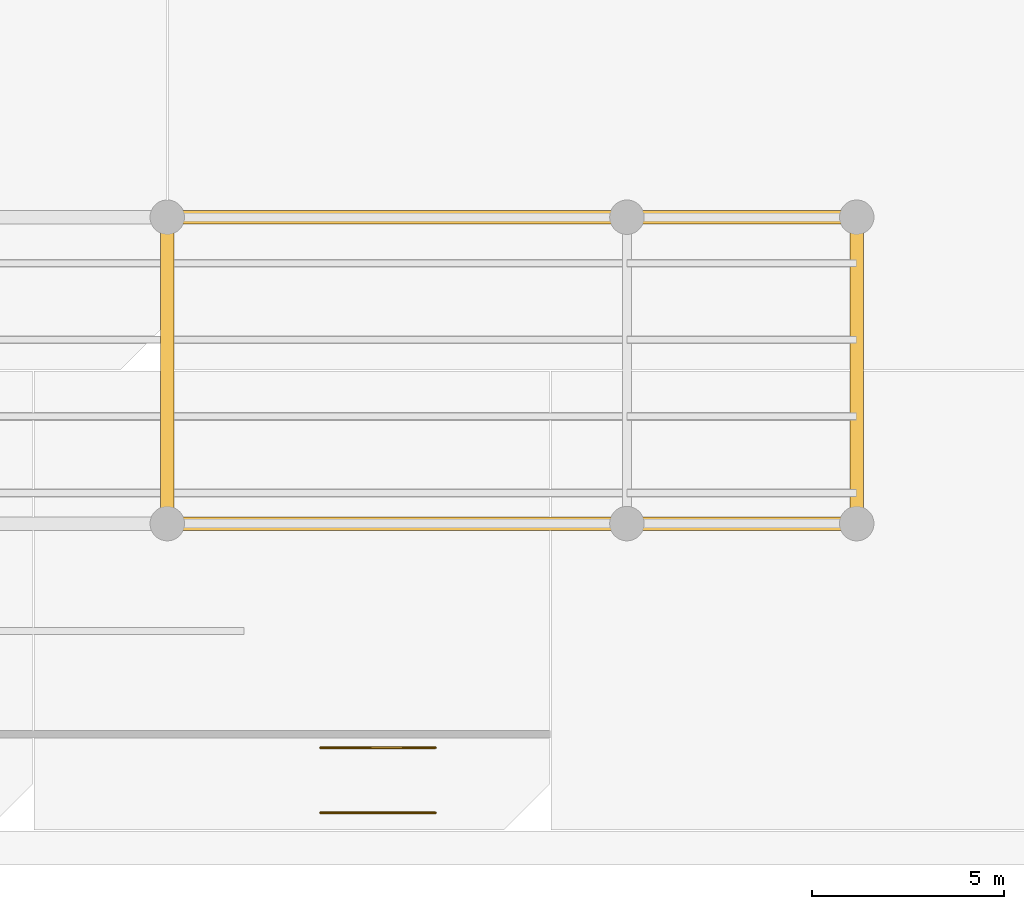
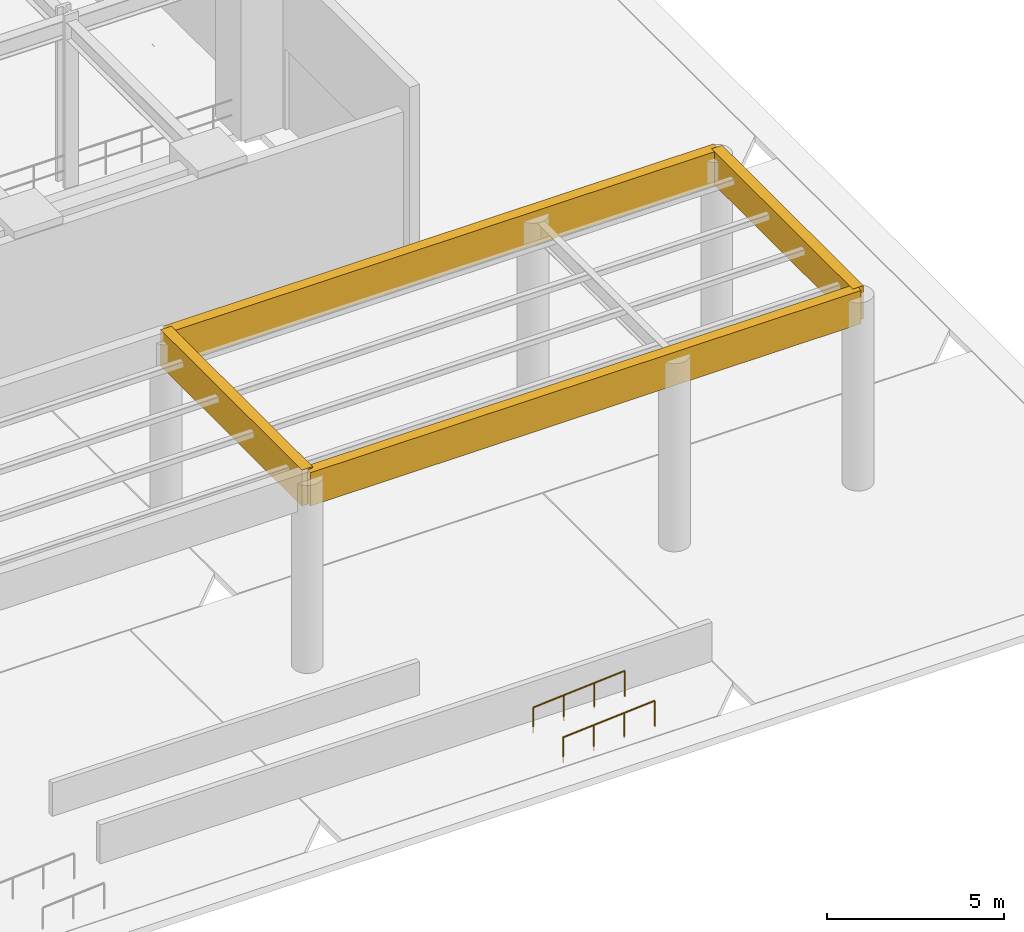
# One storey, part 12 of 13: 4 coverings, 2 railings.
"""IFC4 building model written with IfcOpenShell, lengths in metres."""

from ifc_helpers import new_model, si_unit, direction, frame, origin, origin_2d, place, context, subcontext, project, spatial, rectangle, circle, extrude, source, transform, mapped, material, layer, layer_set, type_object, element, save


model = new_model("IFC4")

# Units and contexts
model_context = context("Model", 3, precision=1e-05, world=origin(), true_north=direction((0.0, 1.0)))
body_context = subcontext(model_context, "Body", "Model", "MODEL_VIEW")
ifc_project = project(units=[si_unit("LENGTHUNIT", "METRE"), si_unit("AREAUNIT", "SQUARE_METRE"), si_unit("VOLUMEUNIT", "CUBIC_METRE"), si_unit("PLANEANGLEUNIT", "RADIAN"), si_unit("MASSUNIT", "GRAM", prefix="KILO")], contexts=[model_context])

# Site, building, storey
site_placement = place(None, origin())
site = spatial("IfcSite", under=ifc_project, at=site_placement, CompositionType="ELEMENT")
building_placement = place(site_placement, origin())
building = spatial("IfcBuilding", under=site, at=building_placement, Name="Torre Montelarca", CompositionType="ELEMENT")
storey_placement = place(building_placement, origin())
storey = spatial("IfcBuildingStorey", under=building, at=storey_placement, Name="L01", CompositionType="ELEMENT", Elevation=0.0)

# Railings
ifc_material_1 = material(Name="Brushed stainless steel AISI 316", Category="steel")
railing_type = type_object("IfcRailingType", Name="RL-EXT-HANDRAIL-900", PredefinedType="HANDRAIL", material=ifc_material_1)
for number, where, name in (
    (1, (70.0, 0.449951171875, -0.219970703125), "Accessible Plaza Ramp Handrail 03"),
    (2, (70.0, 2.14990234375, -0.219970703125), "Accessible Plaza Ramp Handrail 04"),
):
    element("IfcRailing", number, at=place(storey_placement, frame(where)), inside=storey, type_object=railing_type, Name=name, PredefinedType="HANDRAIL", context=body_context, shape_type="SweptSolid", body=[
        extrude(circle(Radius=0.02392578125, at=origin_2d()), frame((0.0, 0.0, 0.8759765625), z_axis=(0.997322618282, 0.0, 0.073127252529), x_axis=(0.0, 1.0, 0.0)), (0.0, 0.0, 1.0), 3.008056640625),
        extrude(circle(Radius=0.02099609375, at=origin_2d()), origin(), (0.0, 0.0, 1.0), 0.851806640625),
        extrude(circle(Radius=0.02099609375, at=origin_2d()), frame((1.0, 0.0, 0.0732421875)), (0.0, 0.0, 1.0), 0.851806640625),
        extrude(circle(Radius=0.02099609375, at=origin_2d()), frame((2.0, 0.0, 0.146728515625)), (0.0, 0.0, 1.0), 0.851806640625),
        extrude(circle(Radius=0.02099609375, at=origin_2d()), frame((3.0, 0.0, 0.219970703125)), (0.0, 0.0, 1.0), 0.851806640625),
    ])

# Coverings
ifc_material_2 = material(Name="Bush-hammered warm white precast concrete C45/55", Category="concrete")
ifc_layer = layer(ifc_material_2, 0.139892578125, Name="Bush-hammered warm white precast concrete C45/55", Category="concrete")
ifc_layer_set = layer_set([ifc_layer], Name="Bush-hammered warm white precast concrete C45/55")
covering_type = type_object("IfcCoveringType", Name="COV-TRAY-CLAD", PredefinedType="CLADDING", material=ifc_layer_set)
shared_shape_1 = source(origin(), body_context, "Body", "SweptSolid", [
    extrude(rectangle(XDim=8.0, YDim=0.35009765625, at=origin_2d()), origin(), (0.0, 0.0, 1.0), 1.25),
])
covering_1_placement = place(storey_placement, frame((66.0, 12.0, 5.52490234375), z_axis=(0.0, 0.0, 1.0), x_axis=(0.0, 1.0, 0.0)))
element("IfcCovering", 3, at=covering_1_placement, inside=storey, type_object=covering_type, Name="L01 Monumental Plaza Portal Frieze IN-E", PredefinedType="CLADDING", context=body_context, shape_type="MappedRepresentation", body=[
    mapped(shared_shape_1, transform((0.0, 0.0, 0.0), scale=1.0)),
])
shared_shape_2 = source(origin(), body_context, "Body", "SweptSolid", [
    extrude(rectangle(XDim=18.0, YDim=0.35009765625, at=origin_2d()), origin(), (0.0, 0.0, 1.0), 1.14990234375),
])
for number, where, z_axis, x_axis, name in (
    (4, (75.0, 8.0, 5.574951171875), (0.0, 0.0, 1.0), (1.0, 0.0, 0.0), "L01 Monumental Plaza Portal Frieze OUT-S"),
    (5, (75.0, 16.0, 5.574951171875), (0.0, 0.0, 1.0), (1.0, 0.0, 0.0), "L01 Monumental Plaza Portal Frieze OUT-N"),
):
    element("IfcCovering", number, at=place(storey_placement, frame(where, z_axis=z_axis, x_axis=x_axis)), inside=storey, type_object=covering_type, Name=name, PredefinedType="CLADDING", context=body_context, shape_type="MappedRepresentation", body=[
        mapped(shared_shape_2, transform((0.0, 0.0, 0.0), scale=1.0)),
    ])
shared_shape_3 = source(origin(), body_context, "Body", "SweptSolid", [
    extrude(rectangle(XDim=8.0, YDim=0.35009765625, at=origin_2d()), origin(), (0.0, 0.0, 1.0), 1.14990234375),
])
covering_2_placement = place(storey_placement, frame((84.0, 12.0, 5.574951171875), z_axis=(0.0, 0.0, 1.0), x_axis=(0.0, 1.0, 0.0)))
element("IfcCovering", 6, at=covering_2_placement, inside=storey, type_object=covering_type, Name="L01 Monumental Plaza Portal Frieze OUT-E", PredefinedType="CLADDING", context=body_context, shape_type="MappedRepresentation", body=[
    mapped(shared_shape_3, transform((0.0, 0.0, 0.0), scale=1.0)),
])

save(model, "model.ifc")
